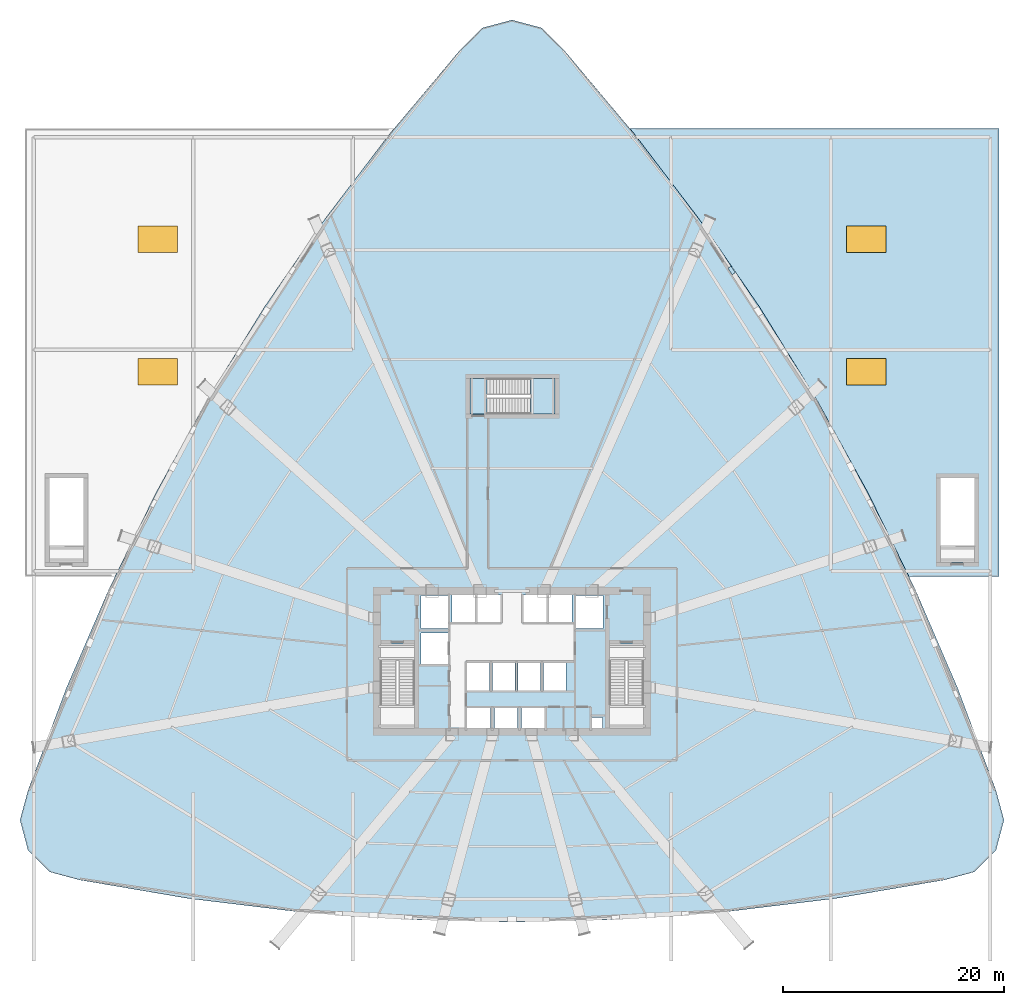
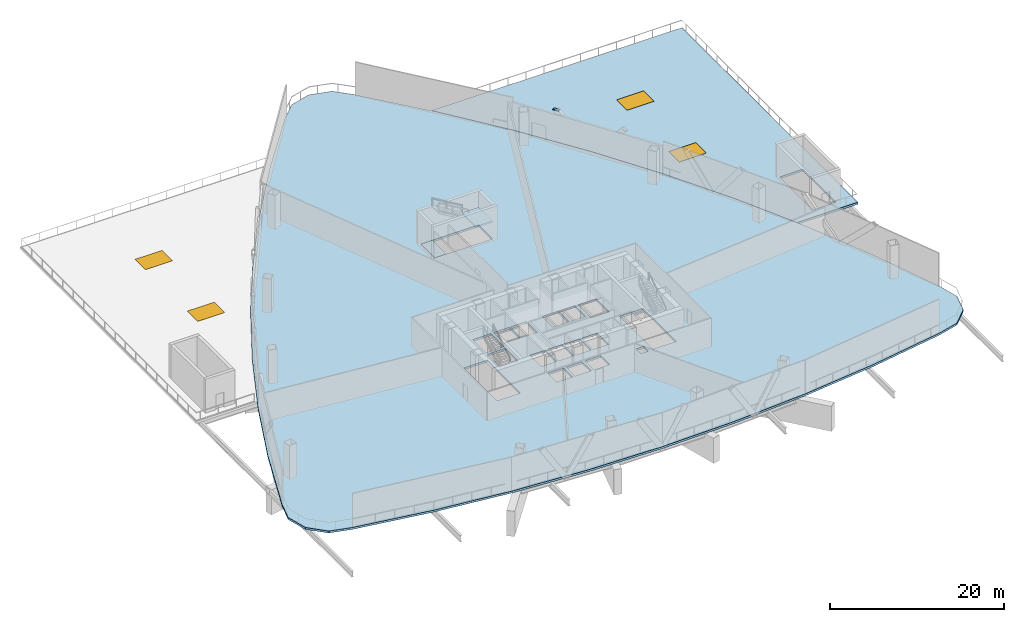
# One storey, part 6 of 18: 4 slabs, 4 windows, 1 plate, 4 openings, 1 element without a shape of its own.
"""IFC4 building model written with IfcOpenShell, lengths in metres."""

from ifc_helpers import new_model, si_unit, direction, frame, origin, origin_2d, place, context, subcontext, project, spatial, polyline, rectangle, outline, extrude, source, transform, mapped, material, layer, layer_set, type_object, element, fill, aggregate, save


model = new_model("IFC4")

# Units and contexts
model_context = context("Model", 3, precision=1e-05, world=origin(), true_north=direction((0.0, 1.0)))
body_context = subcontext(model_context, "Body", "Model", "MODEL_VIEW")
ifc_project = project(units=[si_unit("LENGTHUNIT", "METRE"), si_unit("AREAUNIT", "SQUARE_METRE"), si_unit("VOLUMEUNIT", "CUBIC_METRE"), si_unit("PLANEANGLEUNIT", "RADIAN"), si_unit("MASSUNIT", "GRAM", prefix="KILO"), si_unit("THERMODYNAMICTEMPERATUREUNIT", "KELVIN"), si_unit("POWERUNIT", "WATT")], contexts=[model_context])

# Site, building, storey
site_placement = place(None, origin())
site = spatial("IfcSite", under=ifc_project, at=site_placement, CompositionType="ELEMENT")
building_placement = place(site_placement, origin())
building = spatial("IfcBuilding", under=site, at=building_placement, Name="Yunzhuo Pagoda Commons", CompositionType="ELEMENT")
storey_placement = place(building_placement, frame((0.0, 0.0, 25.39990234375)))
storey = spatial("IfcBuildingStorey", under=building, at=storey_placement, Name="L06", CompositionType="ELEMENT", Elevation=25.39990234375)

# Stair, slabs
ifc_material_1 = material(Name="Concrete C40", Category="concrete")
stair_type = type_object("IfcStairType", Name="ST-C3 North Tower Smokeproof Stair ST3", PredefinedType="HALF_TURN_STAIR", material=ifc_material_1)
stair_placement = place(storey_placement, origin())
stair = element("IfcStair", 1, at=stair_placement, inside=storey, type_object=stair_type, Name="L06 North tower smokeproof stair ST3", PredefinedType="HALF_TURN_STAIR")
ifc_layer_1 = layer(ifc_material_1, 0.2041015625)
ifc_layer_set_1 = layer_set([ifc_layer_1], Name="Concrete C40")
slab_type_1 = type_object("IfcSlabType", Name="SL-LND5 North Landing Slab 204", PredefinedType="LANDING", material=ifc_layer_set_1)
slab_1_placement = place(storey_placement, frame((0.0, 0.0, 2.300048828125)))
slab_1 = element("IfcSlab", 2, at=slab_1_placement, type_object=slab_type_1, Name="ST3 landing 1", PredefinedType="LANDING", context=body_context, shape_type="SweptSolid", body=[
    extrude(outline(polyline([(49.669921875, 56.199951171875), (51.89990234375, 56.199951171875), (51.89990234375, 59.39990234375), (49.669921875, 59.39990234375), (49.669921875, 56.199951171875)])), origin(), (0.0, 0.0, 1.0), 0.199951171875),
])
slab_2_placement = place(storey_placement, frame((0.0, 0.0, -0.199951171875)))
slab_2 = element("IfcSlab", 3, at=slab_2_placement, type_object=slab_type_1, Name="ST3 floor landing L06", PredefinedType="LANDING", context=body_context, shape_type="SweptSolid", body=[
    extrude(outline(polyline([(44.199951171875, 56.199951171875), (45.75, 56.199951171875), (45.75, 59.39990234375), (44.199951171875, 59.39990234375), (44.199951171875, 56.199951171875)])), origin(), (0.0, 0.0, 1.0), 0.199951171875),
])
aggregate(stair, [slab_1, slab_2])

# Slab
ifc_layer_2 = layer(ifc_material_1, 0.280029296875)
ifc_layer_set_2 = layer_set([ifc_layer_2], Name="Concrete C40")
slab_type_2 = type_object("IfcSlabType", Name="SL-POD Podium & Refuge Floor Slab 280", PredefinedType="FLOOR", material=ifc_layer_set_2)
slab_3_placement = place(storey_placement, frame((0.0, 0.0, -0.27978515625)))
element("IfcSlab", 4, at=slab_3_placement, inside=storey, type_object=slab_type_2, Name="L06 structural floor slab", PredefinedType="FLOOR", context=body_context, shape_type="SweptSolid", body=[
    extrude(outline(polyline([(7.736083984375, 31.42138671875), (11.59130859375, 40.381103515625), (15.8564453125, 49.101318359375), (20.531982421875, 57.582275390625), (25.617919921875, 65.823486328125), (31.11376953125, 73.825439453125), (37.02001953125, 81.587890625), (43.33642578125, 89.11083984375), (45.311279296875, 91.0712890625), (48.0, 91.78857421875), (50.688720703125, 91.0712890625), (52.66357421875, 89.11083984375), (58.97998046875, 81.587890625), (64.88623046875, 73.825439453125), (70.382080078125, 65.823486328125), (75.468017578125, 57.582275390625), (80.1435546875, 49.101318359375), (84.40869140625, 40.381103515625), (88.263916015625, 31.42138671875), (91.708740234375, 22.222412109375), (92.445068359375, 19.519287109375), (91.72802734375, 16.811279296875), (89.750732421875, 14.82666015625), (87.045166015625, 14.10009765625), (77.28369140625, 12.4375), (67.522705078125, 11.25), (57.76123046875, 10.53759765625), (48.0, 10.300048828125), (38.23876953125, 10.53759765625), (28.4775390625, 11.25), (18.71630859375, 12.4375), (8.954833984375, 14.10009765625), (6.249267578125, 14.82666015625), (4.27197265625, 16.811279296875), (3.554931640625, 19.519287109375), (4.291259765625, 22.222412109375), (7.736083984375, 31.42138671875)]), holes=[polyline([(46.050048828125, 27.60009765625), (46.050048828125, 29.64990234375), (43.949951171875, 29.64990234375), (43.949951171875, 27.60009765625), (46.050048828125, 27.60009765625)]), polyline([(48.5, 27.60009765625), (48.5, 29.64990234375), (46.39990234375, 29.64990234375), (46.39990234375, 27.60009765625), (48.5, 27.60009765625)]), polyline([(36.10009765625, 27.800048828125), (39.199951171875, 27.800048828125), (39.199951171875, 35.39990234375), (36.10009765625, 35.39990234375), (36.10009765625, 27.800048828125)]), polyline([(43.929931640625, 31.199951171875), (45.969970703125, 31.199951171875), (45.969970703125, 33.800048828125), (43.929931640625, 33.800048828125), (43.929931640625, 31.199951171875)]), polyline([(46.22998046875, 31.199951171875), (48.27001953125, 31.199951171875), (48.27001953125, 33.800048828125), (46.22998046875, 33.800048828125), (46.22998046875, 31.199951171875)]), polyline([(42.199951171875, 33.60009765625), (42.199951171875, 36.39990234375), (39.800048828125, 36.39990234375), (39.800048828125, 33.60009765625), (42.199951171875, 33.60009765625)]), polyline([(42.199951171875, 36.800048828125), (42.199951171875, 39.800048828125), (39.800048828125, 39.800048828125), (39.800048828125, 36.800048828125), (42.199951171875, 36.800048828125)]), polyline([(44.699951171875, 37.39990234375), (44.699951171875, 39.85009765625), (42.60009765625, 39.85009765625), (42.60009765625, 37.39990234375), (44.699951171875, 37.39990234375)]), polyline([(44.85009765625, 37.39990234375), (46.949951171875, 37.39990234375), (46.949951171875, 39.85009765625), (44.85009765625, 39.85009765625), (44.85009765625, 37.39990234375)]), polyline([(56.179931640625, 27.699951171875), (56.179931640625, 28.800048828125), (55.179931640625, 28.800048828125), (55.179931640625, 27.699951171875), (56.179931640625, 27.699951171875)]), polyline([(50.949951171875, 27.60009765625), (50.949951171875, 29.64990234375), (48.85009765625, 29.64990234375), (48.85009765625, 27.60009765625), (50.949951171875, 27.60009765625)]), polyline([(56.800048828125, 27.800048828125), (59.89990234375, 27.800048828125), (59.89990234375, 35.39990234375), (56.800048828125, 35.39990234375), (56.800048828125, 27.800048828125)]), polyline([(48.530029296875, 31.199951171875), (50.570068359375, 31.199951171875), (50.570068359375, 33.800048828125), (48.530029296875, 33.800048828125), (48.530029296875, 31.199951171875)]), polyline([(50.830078125, 31.199951171875), (52.8701171875, 31.199951171875), (52.8701171875, 33.800048828125), (50.830078125, 33.800048828125), (50.830078125, 31.199951171875)]), polyline([(56.199951171875, 36.800048828125), (56.199951171875, 39.800048828125), (53.800048828125, 39.800048828125), (53.800048828125, 36.800048828125), (56.199951171875, 36.800048828125)]), polyline([(51.14990234375, 37.39990234375), (51.14990234375, 39.85009765625), (49.050048828125, 39.85009765625), (49.050048828125, 37.39990234375), (51.14990234375, 37.39990234375)]), polyline([(53.39990234375, 37.39990234375), (53.39990234375, 39.85009765625), (51.300048828125, 39.85009765625), (51.300048828125, 37.39990234375), (53.39990234375, 37.39990234375)]), polyline([(44.199951171875, 56.199951171875), (51.89990234375, 56.199951171875), (51.89990234375, 59.39990234375), (44.199951171875, 59.39990234375), (44.199951171875, 56.199951171875)])]), origin(), (0.0, 0.0, 1.0), 0.27978515625),
])

# Slab, openings, windows
ifc_layer_3 = layer(ifc_material_1, 0.280029296875)
ifc_layer_set_3 = layer_set([ifc_layer_3], Name="Concrete C40")
slab_type_3 = type_object("IfcSlabType", Name="SL-TER Outdoor Terrace Deck Slab 280", PredefinedType="FLOOR", material=ifc_layer_set_3)
slab_4_placement = place(storey_placement, frame((0.0, 0.0, -0.27978515625)))
slab_4 = element("IfcSlab", 5, at=slab_4_placement, inside=storey, type_object=slab_type_3, Name="L06 podium roof garden terrace 1", PredefinedType="FLOOR", context=body_context, shape_type="SweptSolid", body=[
    extrude(outline(polyline([(92.0, 41.5), (83.861572265625, 41.5), (80.1435546875, 49.101318359375), (75.468017578125, 57.582275390625), (70.382080078125, 65.823486328125), (64.88623046875, 73.825439453125), (58.97998046875, 81.587890625), (58.634033203125, 82.0), (92.0, 82.0), (92.0, 41.5)]), holes=[polyline([(89.800048828125, 42.800048828125), (89.800048828125, 50.39990234375), (86.699951171875, 50.39990234375), (86.699951171875, 42.800048828125), (89.800048828125, 42.800048828125)])]), origin(), (0.0, 0.0, 1.0), 0.27978515625),
])
opening_1_placement = place(slab_4_placement, frame((16.0, 60.0, -0.010009765625)))
opening_1 = element("IfcOpeningElement", 6, at=opening_1_placement, cuts=slab_4, Name="Opening SK-01", PredefinedType="OPENING", context=body_context, shape_type="SweptSolid", body=[
    extrude(rectangle(XDim=3.60009765625, YDim=2.39990234375, at=origin_2d()), origin(), (0.0, 0.0, 1.0), 0.2998046875),
])
opening_2_placement = place(slab_4_placement, frame((16.0, 72.0, -0.010009765625)))
opening_2 = element("IfcOpeningElement", 7, at=opening_2_placement, cuts=slab_4, Name="Opening SK-01", PredefinedType="OPENING", context=body_context, shape_type="SweptSolid", body=[
    extrude(rectangle(XDim=3.60009765625, YDim=2.39990234375, at=origin_2d()), origin(), (0.0, 0.0, 1.0), 0.2998046875),
])
opening_3_placement = place(slab_4_placement, frame((80.0, 60.0, -0.010009765625)))
opening_3 = element("IfcOpeningElement", 8, at=opening_3_placement, cuts=slab_4, Name="Opening SK-01", PredefinedType="OPENING", context=body_context, shape_type="SweptSolid", body=[
    extrude(rectangle(XDim=3.60009765625, YDim=2.39990234375, at=origin_2d()), origin(), (0.0, 0.0, 1.0), 0.2998046875),
])
opening_4_placement = place(slab_4_placement, frame((80.0, 72.0, -0.010009765625)))
opening_4 = element("IfcOpeningElement", 9, at=opening_4_placement, cuts=slab_4, Name="Opening SK-01", PredefinedType="OPENING", context=body_context, shape_type="SweptSolid", body=[
    extrude(rectangle(XDim=3.60009765625, YDim=2.39990234375, at=origin_2d()), origin(), (0.0, 0.0, 1.0), 0.2998046875),
])
ifc_material_2 = material(Name="Tempered low-e double glazing", Category="glass")
window_type = type_object("IfcWindowType", Name="SK-01 Concourse Roof Skylight 3600x2400", PartitioningType="SINGLE_PANEL", PredefinedType="SKYLIGHT", material=ifc_material_2)
window_1_placement = place(opening_1_placement, frame((0.0, 0.0, 0.23974609375)))
window_1 = element("IfcWindow", 10, at=window_1_placement, inside=storey, type_object=window_type, Name="Podium concourse skylight 1", OverallHeight=2.39990234375, OverallWidth=3.60009765625, PartitioningType="SINGLE_PANEL", PredefinedType="SKYLIGHT", context=body_context, shape_type="SweptSolid", body=[
    extrude(rectangle(XDim=3.60009765625, YDim=2.39990234375, at=origin_2d()), origin(), (0.0, 0.0, 1.0), 0.050048828125),
])
fill(opening_1, window_1)
window_2_placement = place(opening_2_placement, frame((0.0, 0.0, 0.23974609375)))
window_2 = element("IfcWindow", 11, at=window_2_placement, inside=storey, type_object=window_type, Name="Podium concourse skylight 2", OverallHeight=2.39990234375, OverallWidth=3.60009765625, PartitioningType="SINGLE_PANEL", PredefinedType="SKYLIGHT", context=body_context, shape_type="SweptSolid", body=[
    extrude(rectangle(XDim=3.60009765625, YDim=2.39990234375, at=origin_2d()), origin(), (0.0, 0.0, 1.0), 0.050048828125),
])
fill(opening_2, window_2)
window_3_placement = place(opening_3_placement, frame((0.0, 0.0, 0.23974609375)))
window_3 = element("IfcWindow", 12, at=window_3_placement, inside=storey, type_object=window_type, Name="Podium concourse skylight 3", OverallHeight=2.39990234375, OverallWidth=3.60009765625, PartitioningType="SINGLE_PANEL", PredefinedType="SKYLIGHT", context=body_context, shape_type="SweptSolid", body=[
    extrude(rectangle(XDim=3.60009765625, YDim=2.39990234375, at=origin_2d()), origin(), (0.0, 0.0, 1.0), 0.050048828125),
])
fill(opening_3, window_3)
window_4_placement = place(opening_4_placement, frame((0.0, 0.0, 0.23974609375)))
window_4 = element("IfcWindow", 13, at=window_4_placement, inside=storey, type_object=window_type, Name="Podium concourse skylight 4", OverallHeight=2.39990234375, OverallWidth=3.60009765625, PartitioningType="SINGLE_PANEL", PredefinedType="SKYLIGHT", context=body_context, shape_type="SweptSolid", body=[
    extrude(rectangle(XDim=3.60009765625, YDim=2.39990234375, at=origin_2d()), origin(), (0.0, 0.0, 1.0), 0.050048828125),
])
fill(opening_4, window_4)

# Plate
ifc_material_3 = material(Name="Structural steel Q355B", Category="steel")
ifc_layer_4 = layer(ifc_material_3, 0.028076171875)
ifc_layer_set_4 = layer_set([ifc_layer_4], Name="Structural steel Q355B")
plate_type = type_object("IfcPlateType", Name="SP-ND1 Lattice Node Cap Plate 800x500x28", PredefinedType="USERDEFINED", material=ifc_layer_set_4)
shared_shape = source(origin(), body_context, "Body", "SweptSolid", [
    extrude(rectangle(XDim=0.699951171875, YDim=0.35009765625, at=origin_2d()), origin(), (0.0, 0.0, 1.0), 0.035888671875),
])
plate_placement = place(storey_placement, frame((67.843505859375, 69.16748046875, 4.7021484375), z_axis=(0.0, 0.0, 1.0), x_axis=(-0.544668309809, 0.838651555946, 0.0)))
element("IfcPlate", 14, at=plate_placement, inside=storey, type_object=plate_type, Name="L06 setback lattice tie plate F2.3R", ObjectType="STIFFENER_PLATE", PredefinedType="USERDEFINED", context=body_context, shape_type="MappedRepresentation", body=[
    mapped(shared_shape, transform((0.0, 0.0, 0.0), scale=1.0)),
])

save(model, "model.ifc")
